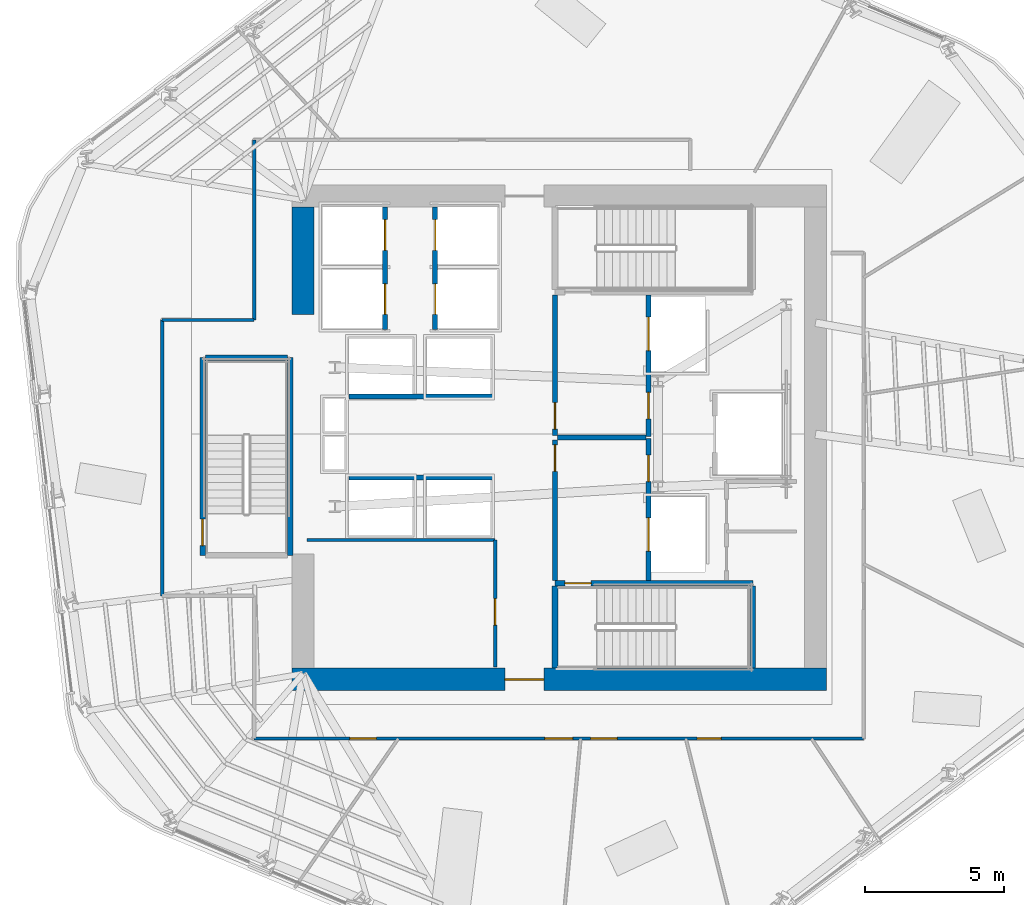
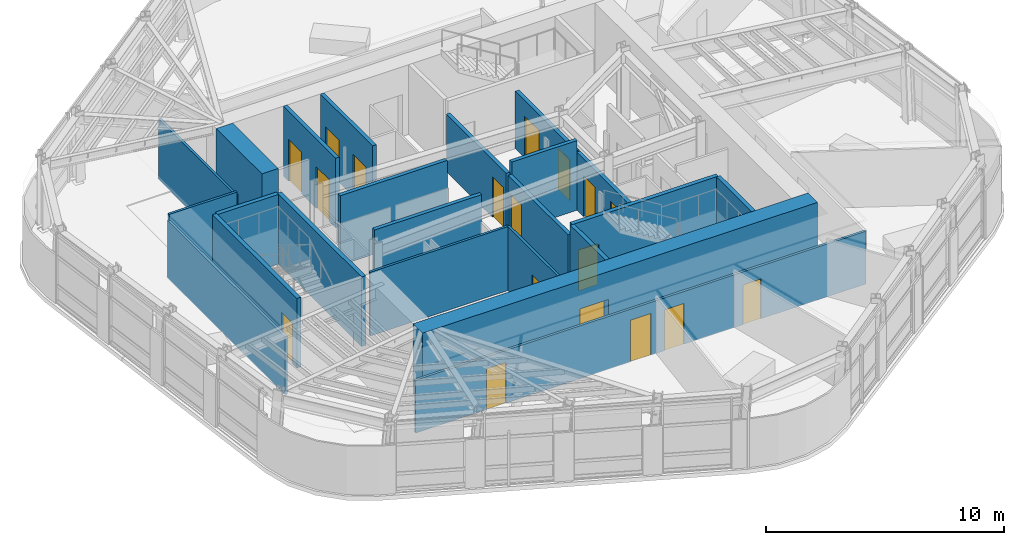
# One storey, part 8 of 14: 23 walls, 18 doors, 18 openings.
"""IFC4 building model written with IfcOpenShell, lengths in metres."""

from ifc_helpers import new_model, si_unit, direction, frame, frame_2d, origin, place, context, subcontext, project, spatial, rectangle, extrude, material, layer, layer_set, type_object, element, fill, save


model = new_model("IFC4")

# Units and contexts
model_context = context("Model", 3, precision=1e-05, world=origin(), true_north=direction((0.0, 1.0)))
body_context = subcontext(model_context, "Body", "Model", "MODEL_VIEW")
ifc_project = project(units=[si_unit("LENGTHUNIT", "METRE"), si_unit("AREAUNIT", "SQUARE_METRE"), si_unit("VOLUMEUNIT", "CUBIC_METRE"), si_unit("PLANEANGLEUNIT", "RADIAN"), si_unit("MASSUNIT", "GRAM", prefix="KILO")], contexts=[model_context])

# Site, building, storey
site_placement = place(None, origin())
site = spatial("IfcSite", under=ifc_project, at=site_placement, CompositionType="ELEMENT")
building_placement = place(site_placement, origin())
building = spatial("IfcBuilding", under=site, at=building_placement, Name="Valkerne Bourse Tower", CompositionType="ELEMENT")
storey_placement = place(building_placement, frame((0.0, 0.0, 181.800048828125)))
storey = spatial("IfcBuildingStorey", under=building, at=storey_placement, Name="L46", CompositionType="ELEMENT", Elevation=181.800048828125)

# Wall, opening, door
ifc_material_1 = material(Name="Concrete C55/67", Category="concrete")
ifc_layer_1 = layer(ifc_material_1, 0.800048828125)
ifc_layer_set_1 = layer_set([ifc_layer_1], Name="Concrete C55/67")
wall_type_1 = type_object("IfcWallType", Name="W-CORE-800", PredefinedType="SHEAR", material=ifc_layer_set_1)
wall_1_placement = place(storey_placement, frame((37.199951171875, 18.199951171875, 0.0), z_axis=(0.0, 0.0, 1.0), x_axis=(1.0, 0.0, 0.0)))
wall_1 = element("IfcWall", 1, at=wall_1_placement, inside=storey, type_object=wall_type_1, Name="L46 Core Shear Wall SOUTH", PredefinedType="SHEAR", context=body_context, shape_type="SweptSolid", body=[
    extrude(rectangle(XDim=19.199951171875, YDim=0.800048828125, at=frame_2d((9.60009765625, 0.0))), origin(), (0.0, 0.0, 1.0), 3.579833984375),
])
opening_1_placement = place(wall_1_placement, frame((7.64990234375, 0.0, 0.0)))
opening_1 = element("IfcOpeningElement", 2, at=opening_1_placement, cuts=wall_1, Name="Opening D-PL-1400", PredefinedType="OPENING", context=body_context, shape_type="SweptSolid", body=[
    extrude(rectangle(XDim=1.39990234375, YDim=2.14990234375, at=frame_2d((0.699951171875, 1.074951171875))), frame((0.0, 0.409912109375, 0.0), z_axis=(0.0, -1.0, 0.0), x_axis=(1.0, 0.0, 0.0)), (0.0, 0.0, 1.0), 0.820068359375),
])
ifc_material_2 = material(Name="Galvanised Painted Steel", Category="steel")
door_type_1 = type_object("IfcDoorType", Name="DR-PLT-1400", OperationType="DOUBLE_DOOR_SINGLE_SWING", PredefinedType="DOOR", material=ifc_material_2)
door_1_placement = place(opening_1_placement, origin())
door_1 = element("IfcDoor", 3, at=door_1_placement, inside=storey, type_object=door_type_1, Name="L46 South Passenger Lift Hall Fire Door", OperationType="DOUBLE_DOOR_SINGLE_SWING", OverallHeight=2.14990234375, OverallWidth=1.39990234375, PredefinedType="DOOR", context=body_context, shape_type="SweptSolid", body=[
    extrude(rectangle(XDim=1.39990234375, YDim=2.14990234375, at=frame_2d((0.699951171875, 1.074951171875))), frame((0.0, 0.02490234375, 0.0), z_axis=(0.0, -1.0, 0.0), x_axis=(1.0, 0.0, 0.0)), (0.0, 0.0, 1.0), 0.050048828125),
])
fill(opening_1, door_1)

# Wall
wall_2_placement = place(storey_placement, frame((37.60009765625, 31.300048828125, 0.0), z_axis=(0.0, 0.0, 1.0), x_axis=(0.0, 1.0, 0.0)))
element("IfcWall", 4, at=wall_2_placement, inside=storey, type_object=wall_type_1, Name="L46 Core Shear Wall WEST-N", PredefinedType="SHEAR", context=body_context, shape_type="SweptSolid", body=[
    extrude(rectangle(XDim=3.849853515625, YDim=0.800048828125, at=frame_2d((1.9248046875, 0.0))), origin(), (0.0, 0.0, 1.0), 3.579833984375),
])

# Wall, opening, door
ifc_material_3 = material(Name="Gypsum Board Steel-Stud Partition", Category="steel")
ifc_layer_2 = layer(ifc_material_3, 0.117919921875)
ifc_layer_set_2 = layer_set([ifc_layer_2], Name="Gypsum Board Steel-Stud Partition")
wall_type_2 = type_object("IfcWallType", Name="W-CORR-140", PredefinedType="PARTITIONING", material=ifc_layer_set_2)
wall_3_placement = place(storey_placement, frame((44.5, 18.64990234375, 0.0), z_axis=(0.0, 0.0, 1.0), x_axis=(0.0, 1.0, 0.0)))
wall_3 = element("IfcWall", 5, at=wall_3_placement, inside=storey, type_object=wall_type_2, Name="L46 LV7 Low-Bank East Wall", PredefinedType="PARTITIONING", context=body_context, shape_type="SweptSolid", body=[
    extrude(rectangle(XDim=4.550048828125, YDim=0.117919921875, at=frame_2d((2.27490234375, 0.0))), origin(), (0.0, 0.0, 1.0), 3.280029296875),
])
opening_2_placement = place(wall_3_placement, frame((1.5, 0.0, 0.0)))
opening_2 = element("IfcOpeningElement", 6, at=opening_2_placement, cuts=wall_3, Name="Opening D-SV-950", PredefinedType="OPENING", context=body_context, shape_type="SweptSolid", body=[
    extrude(rectangle(XDim=0.949951171875, YDim=2.050048828125, at=frame_2d((0.47509765625, 1.02490234375))), frame((0.0, 0.06884765625, 0.0), z_axis=(0.0, -1.0, 0.0), x_axis=(1.0, 0.0, 0.0)), (0.0, 0.0, 1.0), 0.137939453125),
])
door_type_2 = type_object("IfcDoorType", Name="DR-SRV-950", OperationType="NOTDEFINED", PredefinedType="DOOR", material=ifc_material_2)
door_2_placement = place(opening_2_placement, origin())
door_2 = element("IfcDoor", 7, at=door_2_placement, inside=storey, type_object=door_type_2, Name="L46 Algorithmic Matching Office Door", OperationType="SINGLE_SWING_LEFT", OverallHeight=2.050048828125, OverallWidth=0.949951171875, PredefinedType="DOOR", context=body_context, shape_type="SweptSolid", body=[
    extrude(rectangle(XDim=0.949951171875, YDim=2.050048828125, at=frame_2d((0.47509765625, 1.02490234375))), frame((0.0, 0.02490234375, 0.0), z_axis=(0.0, -1.0, 0.0), x_axis=(1.0, 0.0, 0.0)), (0.0, 0.0, 1.0), 0.050048828125),
])
fill(opening_2, door_2)

# Walls
wall_4_placement = place(storey_placement, frame((37.75, 23.199951171875, 0.0), z_axis=(0.0, 0.0, 1.0), x_axis=(1.0, 0.0, 0.0)))
element("IfcWall", 8, at=wall_4_placement, inside=storey, type_object=wall_type_2, Name="L46 LV7 Low-Bank North Wall", PredefinedType="PARTITIONING", context=body_context, shape_type="SweptSolid", body=[
    extrude(rectangle(XDim=6.75, YDim=0.117919921875, at=frame_2d((3.375, 0.0))), origin(), (0.0, 0.0, 1.0), 3.280029296875),
])
wall_5_placement = place(storey_placement, frame((32.550048828125, 21.199951171875, 0.0), z_axis=(0.0, 0.0, 1.0), x_axis=(0.0, 1.0, 0.0)))
element("IfcWall", 9, at=wall_5_placement, inside=storey, type_object=wall_type_2, Name="L46 Corridor Enclosure Wall", PredefinedType="PARTITIONING", context=body_context, shape_type="SweptSolid", body=[
    extrude(rectangle(XDim=9.900146484375, YDim=0.117919921875, at=frame_2d((4.9501953125, 0.0))), origin(), (0.0, 0.0, 1.0), 2.962890625),
])
wall_6_placement = place(storey_placement, frame((32.550048828125, 31.10009765625, 0.0), z_axis=(0.0, 0.0, 1.0), x_axis=(1.0, 0.0, 0.0)))
element("IfcWall", 10, at=wall_6_placement, inside=storey, type_object=wall_type_2, Name="L46 Corridor Enclosure Wall", PredefinedType="PARTITIONING", context=body_context, shape_type="SweptSolid", body=[
    extrude(rectangle(XDim=3.300048828125, YDim=0.117919921875, at=frame_2d((1.64990234375, 0.0))), origin(), (0.0, 0.0, 1.0), 3.280029296875),
])
wall_7_placement = place(storey_placement, frame((35.85009765625, 31.10009765625, 0.0), z_axis=(0.0, 0.0, 1.0), x_axis=(0.0, 1.0, 0.0)))
element("IfcWall", 11, at=wall_7_placement, inside=storey, type_object=wall_type_2, Name="L46 Corridor Enclosure Wall", PredefinedType="PARTITIONING", context=body_context, shape_type="SweptSolid", body=[
    extrude(rectangle(XDim=6.4599609375, YDim=0.117919921875, at=frame_2d((3.22998046875, 0.0))), origin(), (0.0, 0.0, 1.0), 3.107666015625),
])

# Wall, openings, doors
wall_8_placement = place(storey_placement, frame((57.719970703125, 16.080078125, 0.0), z_axis=(0.0, 0.0, 1.0), x_axis=(-1.0, 0.0, 0.0)))
wall_8 = element("IfcWall", 12, at=wall_8_placement, inside=storey, type_object=wall_type_2, Name="L46 Corridor Enclosure Wall", PredefinedType="PARTITIONING", context=body_context, shape_type="SweptSolid", body=[
    extrude(rectangle(XDim=21.869873046875, YDim=0.117919921875, at=frame_2d((10.93505859375, 0.0))), origin(), (0.0, 0.0, 1.0), 2.71142578125),
])
opening_3_placement = place(wall_8_placement, frame((5.10498046875, 0.0, 0.0)))
opening_3 = element("IfcOpeningElement", 13, at=opening_3_placement, cuts=wall_8, Name="Opening D-WC-900", PredefinedType="OPENING", context=body_context, shape_type="SweptSolid", body=[
    extrude(rectangle(XDim=0.860107421875, YDim=2.050048828125, at=frame_2d((0.43017578125, 1.02490234375))), frame((0.0, 0.06884765625, 0.0), z_axis=(0.0, -1.0, 0.0), x_axis=(1.0, 0.0, 0.0)), (0.0, 0.0, 1.0), 0.137939453125),
])
opening_4_placement = place(wall_8_placement, frame((8.840087890625, 0.0, 0.0)))
opening_4 = element("IfcOpeningElement", 14, at=opening_4_placement, cuts=wall_8, Name="Opening D-OF-950", PredefinedType="OPENING", context=body_context, shape_type="SweptSolid", body=[
    extrude(rectangle(XDim=0.949951171875, YDim=2.10009765625, at=frame_2d((0.47509765625, 1.050048828125))), frame((0.0, 0.06884765625, 0.0), z_axis=(0.0, -1.0, 0.0), x_axis=(1.0, 0.0, 0.0)), (0.0, 0.0, 1.0), 0.137939453125),
])
opening_5_placement = place(wall_8_placement, frame((10.43505859375, 0.0, 0.0)))
opening_5 = element("IfcOpeningElement", 15, at=opening_5_placement, cuts=wall_8, Name="Opening D-MG-1000", PredefinedType="OPENING", context=body_context, shape_type="SweptSolid", body=[
    extrude(rectangle(XDim=1.0, YDim=2.14990234375, at=frame_2d((0.5, 1.074951171875))), frame((0.0, 0.06884765625, 0.0), z_axis=(0.0, -1.0, 0.0), x_axis=(1.0, 0.0, 0.0)), (0.0, 0.0, 1.0), 0.137939453125),
])
opening_6_placement = place(wall_8_placement, frame((17.47998046875, 0.0, 0.0)))
opening_6 = element("IfcOpeningElement", 16, at=opening_6_placement, cuts=wall_8, Name="Opening D-OF-950", PredefinedType="OPENING", context=body_context, shape_type="SweptSolid", body=[
    extrude(rectangle(XDim=0.949951171875, YDim=2.10009765625, at=frame_2d((0.47509765625, 1.050048828125))), frame((0.0, 0.06884765625, 0.0), z_axis=(0.0, -1.0, 0.0), x_axis=(1.0, 0.0, 0.0)), (0.0, 0.0, 1.0), 0.137939453125),
])
ifc_material_4 = material(Name="Laminated Tempered Safety Glass", Category="glass")
door_type_3 = type_object("IfcDoorType", Name="DR-MTG-1000", OperationType="NOTDEFINED", PredefinedType="DOOR", material=ifc_material_4)
door_3_placement = place(opening_5_placement, origin())
door_3 = element("IfcDoor", 17, at=door_3_placement, inside=storey, type_object=door_type_3, Name="L46 L46 Client Strategy Conference Room 6 Door", OperationType="SINGLE_SWING_RIGHT", OverallHeight=2.14990234375, OverallWidth=1.0, PredefinedType="DOOR", context=body_context, shape_type="SweptSolid", body=[
    extrude(rectangle(XDim=1.0, YDim=2.14990234375, at=frame_2d((0.5, 1.074951171875))), frame((0.0, 0.02490234375, 0.0), z_axis=(0.0, -1.0, 0.0), x_axis=(1.0, 0.0, 0.0)), (0.0, 0.0, 1.0), 0.050048828125),
])
fill(opening_5, door_3)
ifc_material_5 = material(Name="Architectural White Oak Timber", Category="wood")
door_type_4 = type_object("IfcDoorType", Name="DR-OFF-950", OperationType="NOTDEFINED", PredefinedType="DOOR", material=ifc_material_5)
door_4_placement = place(opening_4_placement, origin())
door_4 = element("IfcDoor", 18, at=door_4_placement, inside=storey, type_object=door_type_4, Name="L46 L46 Executive Advisory Suite Office 4 Door", OperationType="SINGLE_SWING_RIGHT", OverallHeight=2.10009765625, OverallWidth=0.949951171875, PredefinedType="DOOR", context=body_context, shape_type="SweptSolid", body=[
    extrude(rectangle(XDim=0.949951171875, YDim=2.10009765625, at=frame_2d((0.47509765625, 1.050048828125))), frame((0.0, 0.02490234375, 0.0), z_axis=(0.0, -1.0, 0.0), x_axis=(1.0, 0.0, 0.0)), (0.0, 0.0, 1.0), 0.050048828125),
])
fill(opening_4, door_4)
door_5_placement = place(opening_6_placement, origin())
door_5 = element("IfcDoor", 19, at=door_5_placement, inside=storey, type_object=door_type_4, Name="L46 L46 Commodities Market Showroom 9 Door", OperationType="SINGLE_SWING_LEFT", OverallHeight=2.10009765625, OverallWidth=0.949951171875, PredefinedType="DOOR", context=body_context, shape_type="SweptSolid", body=[
    extrude(rectangle(XDim=0.949951171875, YDim=2.10009765625, at=frame_2d((0.47509765625, 1.050048828125))), frame((0.0, 0.02490234375, 0.0), z_axis=(0.0, -1.0, 0.0), x_axis=(1.0, 0.0, 0.0)), (0.0, 0.0, 1.0), 0.050048828125),
])
fill(opening_6, door_5)
door_type_5 = type_object("IfcDoorType", Name="DR-WC-900", OperationType="NOTDEFINED", PredefinedType="DOOR", material=ifc_material_5)
door_6_placement = place(opening_3_placement, origin())
door_6 = element("IfcDoor", 20, at=door_6_placement, inside=storey, type_object=door_type_5, Name="L46 L46 Men Bathroom WC 1 Door", OperationType="SINGLE_SWING_RIGHT", OverallHeight=2.050048828125, OverallWidth=0.860107421875, PredefinedType="DOOR", context=body_context, shape_type="SweptSolid", body=[
    extrude(rectangle(XDim=0.860107421875, YDim=2.050048828125, at=frame_2d((0.43017578125, 1.02490234375))), frame((0.0, 0.02490234375, 0.0), z_axis=(0.0, -1.0, 0.0), x_axis=(1.0, 0.0, 0.0)), (0.0, 0.0, 1.0), 0.050048828125),
])
fill(opening_3, door_6)

# Wall
ifc_material_6 = material(Name="Gypsum Fire-Rated Shaftwall", Category="gypsum")
ifc_layer_3 = layer(ifc_material_6, 0.179931640625)
ifc_layer_set_3 = layer_set([ifc_layer_3], Name="Gypsum Fire-Rated Shaftwall")
wall_type_3 = type_object("IfcWallType", Name="W-FSAE-180", PredefinedType="PARTITIONING", material=ifc_layer_set_3)
wall_9_placement = place(storey_placement, frame((46.739990234375, 26.8798828125, 0.0), z_axis=(0.0, 0.0, 1.0), x_axis=(1.0, 0.0, 0.0)))
element("IfcWall", 21, at=wall_9_placement, inside=storey, type_object=wall_type_3, Name="L46 FSAE-1/2 Lobby Dividing Fire Wall", PredefinedType="PARTITIONING", context=body_context, shape_type="SweptSolid", body=[
    extrude(rectangle(XDim=3.169921875, YDim=0.179931640625, at=frame_2d((1.5849609375, 0.0))), origin(), (0.0, 0.0, 1.0), 3.579833984375),
])

# Wall, opening, door
wall_10_placement = place(storey_placement, frame((46.64990234375, 21.75, 0.0), z_axis=(0.0, 0.0, 1.0), x_axis=(0.0, 1.0, 0.0)))
wall_10 = element("IfcWall", 22, at=wall_10_placement, inside=storey, type_object=wall_type_3, Name="L46 FSAE-1 Lobby West Fire Wall", PredefinedType="PARTITIONING", context=body_context, shape_type="SweptSolid", body=[
    extrude(rectangle(XDim=5.050048828125, YDim=0.179931640625, at=frame_2d((2.52490234375, 0.0))), origin(), (0.0, 0.0, 1.0), 2.957763671875),
])
opening_7_placement = place(wall_10_placement, frame((3.919921875, 0.0, 0.0)))
opening_7 = element("IfcOpeningElement", 23, at=opening_7_placement, cuts=wall_10, Name="Opening D-FS-950", PredefinedType="OPENING", context=body_context, shape_type="SweptSolid", body=[
    extrude(rectangle(XDim=0.949951171875, YDim=2.10009765625, at=frame_2d((0.47509765625, 1.050048828125))), frame((0.0, 0.099853515625, 0.0), z_axis=(0.0, -1.0, 0.0), x_axis=(1.0, 0.0, 0.0)), (0.0, 0.0, 1.0), 0.199951171875),
])
door_type_6 = type_object("IfcDoorType", Name="DR-FSAE-950", OperationType="NOTDEFINED", PredefinedType="DOOR", material=ifc_material_2)
door_7_placement = place(opening_7_placement, origin())
door_7 = element("IfcDoor", 24, at=door_7_placement, inside=storey, type_object=door_type_6, Name="L46 FSAE-1 Hall Link Fire Door", OperationType="SINGLE_SWING_LEFT", OverallHeight=2.10009765625, OverallWidth=0.949951171875, PredefinedType="DOOR", context=body_context, shape_type="SweptSolid", body=[
    extrude(rectangle(XDim=0.949951171875, YDim=2.10009765625, at=frame_2d((0.47509765625, 1.050048828125))), frame((0.0, 0.02490234375, 0.0), z_axis=(0.0, -1.0, 0.0), x_axis=(1.0, 0.0, 0.0)), (0.0, 0.0, 1.0), 0.050048828125),
])
fill(opening_7, door_7)

wall_11_placement = place(storey_placement, frame((46.64990234375, 26.9599609375, 0.0), z_axis=(0.0, 0.0, 1.0), x_axis=(0.0, 1.0, 0.0)))
wall_11 = element("IfcWall", 25, at=wall_11_placement, inside=storey, type_object=wall_type_3, Name="L46 FSAE-2 Lobby West Fire Wall", PredefinedType="PARTITIONING", context=body_context, shape_type="SweptSolid", body=[
    extrude(rectangle(XDim=5.0400390625, YDim=0.179931640625, at=frame_2d((2.52001953125, 0.0))), origin(), (0.0, 0.0, 1.0), 2.957763671875),
])
opening_8_placement = place(wall_11_placement, frame((0.219970703125, 0.0, 0.0)))
opening_8 = element("IfcOpeningElement", 26, at=opening_8_placement, cuts=wall_11, Name="Opening D-FS-950", PredefinedType="OPENING", context=body_context, shape_type="SweptSolid", body=[
    extrude(rectangle(XDim=0.949951171875, YDim=2.10009765625, at=frame_2d((0.47509765625, 1.050048828125))), frame((0.0, 0.099853515625, 0.0), z_axis=(0.0, -1.0, 0.0), x_axis=(1.0, 0.0, 0.0)), (0.0, 0.0, 1.0), 0.199951171875),
])
door_8_placement = place(opening_8_placement, origin())
door_8 = element("IfcDoor", 27, at=door_8_placement, inside=storey, type_object=door_type_6, Name="L46 FSAE-2 Hall Link Fire Door", OperationType="SINGLE_SWING_LEFT", OverallHeight=2.10009765625, OverallWidth=0.949951171875, PredefinedType="DOOR", context=body_context, shape_type="SweptSolid", body=[
    extrude(rectangle(XDim=0.949951171875, YDim=2.10009765625, at=frame_2d((0.47509765625, 1.050048828125))), frame((0.0, 0.02490234375, 0.0), z_axis=(0.0, -1.0, 0.0), x_axis=(1.0, 0.0, 0.0)), (0.0, 0.0, 1.0), 0.050048828125),
])
fill(opening_8, door_8)

# Wall, openings, doors
wall_12_placement = place(storey_placement, frame((50.0, 21.75, 0.0), z_axis=(0.0, 0.0, 1.0), x_axis=(0.0, 1.0, 0.0)))
wall_12 = element("IfcWall", 28, at=wall_12_placement, inside=storey, type_object=wall_type_3, Name="L46 FSAE-1 Lobby & Shaft Front Wall", PredefinedType="PARTITIONING", context=body_context, shape_type="SweptSolid", body=[
    extrude(rectangle(XDim=5.090087890625, YDim=0.179931640625, at=frame_2d((2.544921875, 0.0))), origin(), (0.0, 0.0, 1.0), 2.957763671875),
])
opening_9_placement = place(wall_12_placement, frame((1.050048828125, 0.0, 0.0)))
opening_9 = element("IfcOpeningElement", 29, at=opening_9_placement, cuts=wall_12, Name="Opening LD-1200", PredefinedType="OPENING", context=body_context, shape_type="SweptSolid", body=[
    extrude(rectangle(XDim=1.199951171875, YDim=2.14990234375, at=frame_2d((0.60009765625, 1.074951171875))), frame((0.0, 0.099853515625, 0.0), z_axis=(0.0, -1.0, 0.0), x_axis=(1.0, 0.0, 0.0)), (0.0, 0.0, 1.0), 0.199951171875),
])
opening_10_placement = place(wall_12_placement, frame((3.550048828125, 0.0, 0.0)))
opening_10 = element("IfcOpeningElement", 30, at=opening_10_placement, cuts=wall_12, Name="Opening D-FS-950", PredefinedType="OPENING", context=body_context, shape_type="SweptSolid", body=[
    extrude(rectangle(XDim=0.949951171875, YDim=2.10009765625, at=frame_2d((0.47509765625, 1.050048828125))), frame((0.0, 0.099853515625, 0.0), z_axis=(0.0, -1.0, 0.0), x_axis=(1.0, 0.0, 0.0)), (0.0, 0.0, 1.0), 0.199951171875),
])
door_9_placement = place(opening_10_placement, origin())
door_9 = element("IfcDoor", 31, at=door_9_placement, inside=storey, type_object=door_type_6, Name="L46 FSAE-1 Lobby Corridor Fire Door", OperationType="SINGLE_SWING_LEFT", OverallHeight=2.10009765625, OverallWidth=0.949951171875, PredefinedType="DOOR", context=body_context, shape_type="SweptSolid", body=[
    extrude(rectangle(XDim=0.949951171875, YDim=2.10009765625, at=frame_2d((0.47509765625, 1.050048828125))), frame((0.0, 0.02490234375, 0.0), z_axis=(0.0, -1.0, 0.0), x_axis=(1.0, 0.0, 0.0)), (0.0, 0.0, 1.0), 0.050048828125),
])
fill(opening_10, door_9)
ifc_material_7 = material(Name="Stainless Steel AISI 316", Category="steel")
door_type_7 = type_object("IfcDoorType", Name="DR-LIFT-1200", OperationType="DOUBLE_DOOR_SLIDING", PredefinedType="DOOR", material=ifc_material_7)
door_10_placement = place(opening_9_placement, origin())
door_10 = element("IfcDoor", 32, at=door_10_placement, inside=storey, type_object=door_type_7, Name="L46 FSAE-1 Firefighting Lift Landing Door", OperationType="DOUBLE_DOOR_SLIDING", OverallHeight=2.14990234375, OverallWidth=1.199951171875, PredefinedType="DOOR", context=body_context, shape_type="SweptSolid", body=[
    extrude(rectangle(XDim=1.199951171875, YDim=2.14990234375, at=frame_2d((0.60009765625, 1.074951171875))), frame((0.0, 0.02490234375, 0.0), z_axis=(0.0, -1.0, 0.0), x_axis=(1.0, 0.0, 0.0)), (0.0, 0.0, 1.0), 0.050048828125),
])
fill(opening_9, door_10)

wall_13_placement = place(storey_placement, frame((50.0, 26.919921875, 0.0), z_axis=(0.0, 0.0, 1.0), x_axis=(0.0, 1.0, 0.0)))
wall_13 = element("IfcWall", 33, at=wall_13_placement, inside=storey, type_object=wall_type_3, Name="L46 FSAE-2 Lobby & Shaft Front Wall", PredefinedType="PARTITIONING", context=body_context, shape_type="SweptSolid", body=[
    extrude(rectangle(XDim=5.080078125, YDim=0.179931640625, at=frame_2d((2.5400390625, 0.0))), origin(), (0.0, 0.0, 1.0), 2.957763671875),
])
opening_11_placement = place(wall_13_placement, frame((3.080078125, 0.0, 0.0)))
opening_11 = element("IfcOpeningElement", 34, at=opening_11_placement, cuts=wall_13, Name="Opening LD-1200", PredefinedType="OPENING", context=body_context, shape_type="SweptSolid", body=[
    extrude(rectangle(XDim=1.199951171875, YDim=2.14990234375, at=frame_2d((0.60009765625, 1.074951171875))), frame((0.0, 0.099853515625, 0.0), z_axis=(0.0, -1.0, 0.0), x_axis=(1.0, 0.0, 0.0)), (0.0, 0.0, 1.0), 0.199951171875),
])
opening_12_placement = place(wall_13_placement, frame((0.6298828125, 0.0, 0.0)))
opening_12 = element("IfcOpeningElement", 35, at=opening_12_placement, cuts=wall_13, Name="Opening D-FS-950", PredefinedType="OPENING", context=body_context, shape_type="SweptSolid", body=[
    extrude(rectangle(XDim=0.949951171875, YDim=2.10009765625, at=frame_2d((0.47509765625, 1.050048828125))), frame((0.0, 0.099853515625, 0.0), z_axis=(0.0, -1.0, 0.0), x_axis=(1.0, 0.0, 0.0)), (0.0, 0.0, 1.0), 0.199951171875),
])
door_11_placement = place(opening_12_placement, origin())
door_11 = element("IfcDoor", 36, at=door_11_placement, inside=storey, type_object=door_type_6, Name="L46 FSAE-2 Lobby Corridor Fire Door", OperationType="SINGLE_SWING_LEFT", OverallHeight=2.10009765625, OverallWidth=0.949951171875, PredefinedType="DOOR", context=body_context, shape_type="SweptSolid", body=[
    extrude(rectangle(XDim=0.949951171875, YDim=2.10009765625, at=frame_2d((0.47509765625, 1.050048828125))), frame((0.0, 0.02490234375, 0.0), z_axis=(0.0, -1.0, 0.0), x_axis=(1.0, 0.0, 0.0)), (0.0, 0.0, 1.0), 0.050048828125),
])
fill(opening_12, door_11)
door_12_placement = place(opening_11_placement, origin())
door_12 = element("IfcDoor", 37, at=door_12_placement, inside=storey, type_object=door_type_7, Name="L46 FSAE-2 Firefighting Lift Landing Door", OperationType="DOUBLE_DOOR_SLIDING", OverallHeight=2.14990234375, OverallWidth=1.199951171875, PredefinedType="DOOR", context=body_context, shape_type="SweptSolid", body=[
    extrude(rectangle(XDim=1.199951171875, YDim=2.14990234375, at=frame_2d((0.60009765625, 1.074951171875))), frame((0.0, 0.02490234375, 0.0), z_axis=(0.0, -1.0, 0.0), x_axis=(1.0, 0.0, 0.0)), (0.0, 0.0, 1.0), 0.050048828125),
])
fill(opening_11, door_12)

ifc_material_8 = material(Name="CMU Blockwork Masonry 200mm", Category="masonry")
ifc_layer_4 = layer(ifc_material_8, 0.179931640625)
ifc_layer_set_4 = layer_set([ifc_layer_4], Name="CMU Blockwork Masonry 200mm")
wall_type_4 = type_object("IfcWallType", Name="W-LFT-180", PredefinedType="SOLIDWALL", material=ifc_layer_set_4)
wall_14_placement = place(storey_placement, frame((40.550048828125, 30.75, 0.0), z_axis=(0.0, 0.0, 1.0), x_axis=(0.0, 1.0, 0.0)))
wall_14 = element("IfcWall", 38, at=wall_14_placement, inside=storey, type_object=wall_type_4, Name="L46 Mid-Zone West Cars Front Wall", PredefinedType="SOLIDWALL", context=body_context, shape_type="SweptSolid", body=[
    extrude(rectangle(XDim=4.39990234375, YDim=0.179931640625, at=frame_2d((2.199951171875, 0.0))), origin(), (0.0, 0.0, 1.0), 3.579833984375),
])
opening_13_placement = place(wall_14_placement, frame((0.550048828125, 0.0, 0.0)))
opening_13 = element("IfcOpeningElement", 39, at=opening_13_placement, cuts=wall_14, Name="Opening LD-1100", PredefinedType="OPENING", context=body_context, shape_type="SweptSolid", body=[
    extrude(rectangle(XDim=1.10009765625, YDim=2.14990234375, at=frame_2d((0.550048828125, 1.074951171875))), frame((0.0, 0.099853515625, 0.0), z_axis=(0.0, -1.0, 0.0), x_axis=(1.0, 0.0, 0.0)), (0.0, 0.0, 1.0), 0.199951171875),
])
opening_14_placement = place(wall_14_placement, frame((2.85009765625, 0.0, 0.0)))
opening_14 = element("IfcOpeningElement", 40, at=opening_14_placement, cuts=wall_14, Name="Opening LD-1100", PredefinedType="OPENING", context=body_context, shape_type="SweptSolid", body=[
    extrude(rectangle(XDim=1.10009765625, YDim=2.14990234375, at=frame_2d((0.550048828125, 1.074951171875))), frame((0.0, 0.099853515625, 0.0), z_axis=(0.0, -1.0, 0.0), x_axis=(1.0, 0.0, 0.0)), (0.0, 0.0, 1.0), 0.199951171875),
])
door_type_8 = type_object("IfcDoorType", Name="DR-LIFT-1100", OperationType="DOUBLE_DOOR_SLIDING", PredefinedType="DOOR", material=ifc_material_7)
door_13_placement = place(opening_13_placement, origin())
door_13 = element("IfcDoor", 41, at=door_13_placement, inside=storey, type_object=door_type_8, Name="L46 Passenger Lift PL-M1 Sliding Landing Door", OperationType="DOUBLE_DOOR_SLIDING", OverallHeight=2.14990234375, OverallWidth=1.10009765625, PredefinedType="DOOR", context=body_context, shape_type="SweptSolid", body=[
    extrude(rectangle(XDim=1.10009765625, YDim=2.14990234375, at=frame_2d((0.550048828125, 1.074951171875))), frame((0.0, 0.02490234375, 0.0), z_axis=(0.0, -1.0, 0.0), x_axis=(1.0, 0.0, 0.0)), (0.0, 0.0, 1.0), 0.050048828125),
])
fill(opening_13, door_13)
door_14_placement = place(opening_14_placement, origin())
door_14 = element("IfcDoor", 42, at=door_14_placement, inside=storey, type_object=door_type_8, Name="L46 Passenger Lift PL-M2 Sliding Landing Door", OperationType="DOUBLE_DOOR_SLIDING", OverallHeight=2.14990234375, OverallWidth=1.10009765625, PredefinedType="DOOR", context=body_context, shape_type="SweptSolid", body=[
    extrude(rectangle(XDim=1.10009765625, YDim=2.14990234375, at=frame_2d((0.550048828125, 1.074951171875))), frame((0.0, 0.02490234375, 0.0), z_axis=(0.0, -1.0, 0.0), x_axis=(1.0, 0.0, 0.0)), (0.0, 0.0, 1.0), 0.050048828125),
])
fill(opening_14, door_14)

wall_15_placement = place(storey_placement, frame((42.35009765625, 30.75, 0.0), z_axis=(0.0, 0.0, 1.0), x_axis=(0.0, 1.0, 0.0)))
wall_15 = element("IfcWall", 43, at=wall_15_placement, inside=storey, type_object=wall_type_4, Name="L46 Mid-Zone East Cars Front Wall", PredefinedType="SOLIDWALL", context=body_context, shape_type="SweptSolid", body=[
    extrude(rectangle(XDim=4.39990234375, YDim=0.179931640625, at=frame_2d((2.199951171875, 0.0))), origin(), (0.0, 0.0, 1.0), 3.579833984375),
])
opening_15_placement = place(wall_15_placement, frame((0.550048828125, 0.0, 0.0)))
opening_15 = element("IfcOpeningElement", 44, at=opening_15_placement, cuts=wall_15, Name="Opening LD-1100", PredefinedType="OPENING", context=body_context, shape_type="SweptSolid", body=[
    extrude(rectangle(XDim=1.10009765625, YDim=2.14990234375, at=frame_2d((0.550048828125, 1.074951171875))), frame((0.0, 0.099853515625, 0.0), z_axis=(0.0, -1.0, 0.0), x_axis=(1.0, 0.0, 0.0)), (0.0, 0.0, 1.0), 0.199951171875),
])
opening_16_placement = place(wall_15_placement, frame((2.85009765625, 0.0, 0.0)))
opening_16 = element("IfcOpeningElement", 45, at=opening_16_placement, cuts=wall_15, Name="Opening LD-1100", PredefinedType="OPENING", context=body_context, shape_type="SweptSolid", body=[
    extrude(rectangle(XDim=1.10009765625, YDim=2.14990234375, at=frame_2d((0.550048828125, 1.074951171875))), frame((0.0, 0.099853515625, 0.0), z_axis=(0.0, -1.0, 0.0), x_axis=(1.0, 0.0, 0.0)), (0.0, 0.0, 1.0), 0.199951171875),
])
door_15_placement = place(opening_15_placement, origin())
door_15 = element("IfcDoor", 46, at=door_15_placement, inside=storey, type_object=door_type_8, Name="L46 Passenger Lift PL-M3 Sliding Landing Door", OperationType="DOUBLE_DOOR_SLIDING", OverallHeight=2.14990234375, OverallWidth=1.10009765625, PredefinedType="DOOR", context=body_context, shape_type="SweptSolid", body=[
    extrude(rectangle(XDim=1.10009765625, YDim=2.14990234375, at=frame_2d((0.550048828125, 1.074951171875))), frame((0.0, 0.02490234375, 0.0), z_axis=(0.0, -1.0, 0.0), x_axis=(1.0, 0.0, 0.0)), (0.0, 0.0, 1.0), 0.050048828125),
])
fill(opening_15, door_15)
door_16_placement = place(opening_16_placement, origin())
door_16 = element("IfcDoor", 47, at=door_16_placement, inside=storey, type_object=door_type_8, Name="L46 Passenger Lift PL-M4 Sliding Landing Door", OperationType="DOUBLE_DOOR_SLIDING", OverallHeight=2.14990234375, OverallWidth=1.10009765625, PredefinedType="DOOR", context=body_context, shape_type="SweptSolid", body=[
    extrude(rectangle(XDim=1.10009765625, YDim=2.14990234375, at=frame_2d((0.550048828125, 1.074951171875))), frame((0.0, 0.02490234375, 0.0), z_axis=(0.0, -1.0, 0.0), x_axis=(1.0, 0.0, 0.0)), (0.0, 0.0, 1.0), 0.050048828125),
])
fill(opening_16, door_16)

# Walls
for number, where, z_axis, x_axis, name in (
    (48, (39.25, 25.449951171875, 0.0), (0.0, 0.0, 1.0), (1.0, 0.0, 0.0), "L46 High-Zone South Cars Front Wall"),
    (49, (39.25, 28.35009765625, 0.0), (0.0, 0.0, 1.0), (1.0, 0.0, 0.0), "L46 High-Zone North Cars Front Wall"),
):
    element("IfcWall", number, at=place(storey_placement, frame(where, z_axis=z_axis, x_axis=x_axis)), inside=storey, type_object=wall_type_4, Name=name, PredefinedType="SOLIDWALL", context=body_context, shape_type="SweptSolid", body=[
        extrude(rectangle(XDim=5.199951171875, YDim=0.179931640625, at=frame_2d((2.60009765625, 0.0))), origin(), (0.0, 0.0, 1.0), 3.579833984375),
    ])

# Wall, opening, door
ifc_material_9 = material(Name="Concrete C40/50", Category="concrete")
ifc_layer_5 = layer(ifc_material_9, 0.199951171875)
ifc_layer_set_5 = layer_set([ifc_layer_5], Name="Concrete C40/50")
wall_type_5 = type_object("IfcWallType", Name="W-SHF-200", PredefinedType="SHEAR", material=ifc_layer_set_5)
wall_16_placement = place(storey_placement, frame((46.64990234375, 21.64990234375, 0.0), z_axis=(0.0, 0.0, 1.0), x_axis=(1.0, 0.0, 0.0)))
wall_16 = element("IfcWall", 50, at=wall_16_placement, inside=storey, type_object=wall_type_5, Name="L46 Exit Stair ST-1 Structural Shaft Wall North", PredefinedType="SHEAR", context=body_context, shape_type="SweptSolid", body=[
    extrude(rectangle(XDim=7.10009765625, YDim=0.199951171875, at=frame_2d((3.550048828125, 0.0))), origin(), (0.0, 0.0, 1.0), 3.579833984375),
])
opening_17_placement = place(wall_16_placement, frame((0.35009765625, 0.0, 0.0)))
opening_17 = element("IfcOpeningElement", 51, at=opening_17_placement, cuts=wall_16, Name="Opening D-ST-950", PredefinedType="OPENING", context=body_context, shape_type="SweptSolid", body=[
    extrude(rectangle(XDim=0.949951171875, YDim=2.10009765625, at=frame_2d((0.47509765625, 1.050048828125))), frame((0.0, 0.10986328125, 0.0), z_axis=(0.0, -1.0, 0.0), x_axis=(1.0, 0.0, 0.0)), (0.0, 0.0, 1.0), 0.219970703125),
])
door_type_9 = type_object("IfcDoorType", Name="DR-STAIR-950", OperationType="NOTDEFINED", PredefinedType="DOOR", material=ifc_material_2)
door_17_placement = place(opening_17_placement, origin())
door_17 = element("IfcDoor", 52, at=door_17_placement, inside=storey, type_object=door_type_9, Name="L46 Exit Stair ST-1 Door", OperationType="SINGLE_SWING_RIGHT", OverallHeight=2.10009765625, OverallWidth=0.949951171875, PredefinedType="DOOR", context=body_context, shape_type="SweptSolid", body=[
    extrude(rectangle(XDim=0.949951171875, YDim=2.10009765625, at=frame_2d((0.47509765625, 1.050048828125))), frame((0.0, 0.02490234375, 0.0), z_axis=(0.0, -1.0, 0.0), x_axis=(1.0, 0.0, 0.0)), (0.0, 0.0, 1.0), 0.050048828125),
])
fill(opening_17, door_17)

# Walls
for number, where, z_axis, x_axis, name in (
    (53, (46.64990234375, 18.60009765625, 0.0), (0.0, 0.0, 1.0), (0.0, 1.0, 0.0), "L46 Exit Stair ST-1 Structural Shaft Wall West"),
    (54, (53.75, 18.60009765625, 0.0), (0.0, 0.0, 1.0), (0.0, 1.0, 0.0), "L46 Exit Stair ST-1 Structural Shaft Wall East"),
):
    element("IfcWall", number, at=place(storey_placement, frame(where, z_axis=z_axis, x_axis=x_axis)), inside=storey, type_object=wall_type_5, Name=name, PredefinedType="SHEAR", context=body_context, shape_type="SweptSolid", body=[
        extrude(rectangle(XDim=2.949951171875, YDim=0.199951171875, at=frame_2d((1.47509765625, 0.0))), origin(), (0.0, 0.0, 1.0), 3.579833984375),
    ])

# Wall, opening, door
wall_17_placement = place(storey_placement, frame((34.0, 22.64990234375, 0.0), z_axis=(0.0, 0.0, 1.0), x_axis=(0.0, 1.0, 0.0)))
wall_17 = element("IfcWall", 55, at=wall_17_placement, inside=storey, type_object=wall_type_5, Name="L46 Exit Stair ST-3 Structural Shaft Wall West", PredefinedType="SHEAR", context=body_context, shape_type="SweptSolid", body=[
    extrude(rectangle(XDim=7.10009765625, YDim=0.199951171875, at=frame_2d((3.550048828125, 0.0))), origin(), (0.0, 0.0, 1.0), 3.579833984375),
])
opening_18_placement = place(wall_17_placement, frame((0.35009765625, 0.0, 0.0)))
opening_18 = element("IfcOpeningElement", 56, at=opening_18_placement, cuts=wall_17, Name="Opening D-ST-950", PredefinedType="OPENING", context=body_context, shape_type="SweptSolid", body=[
    extrude(rectangle(XDim=0.949951171875, YDim=2.10009765625, at=frame_2d((0.47509765625, 1.050048828125))), frame((0.0, 0.10986328125, 0.0), z_axis=(0.0, -1.0, 0.0), x_axis=(1.0, 0.0, 0.0)), (0.0, 0.0, 1.0), 0.219970703125),
])
door_18_placement = place(opening_18_placement, origin())
door_18 = element("IfcDoor", 57, at=door_18_placement, inside=storey, type_object=door_type_9, Name="L46 Exit Stair ST-3 Door", OperationType="SINGLE_SWING_LEFT", OverallHeight=2.10009765625, OverallWidth=0.949951171875, PredefinedType="DOOR", context=body_context, shape_type="SweptSolid", body=[
    extrude(rectangle(XDim=0.949951171875, YDim=2.10009765625, at=frame_2d((0.47509765625, 1.050048828125))), frame((0.0, 0.02490234375, 0.0), z_axis=(0.0, -1.0, 0.0), x_axis=(1.0, 0.0, 0.0)), (0.0, 0.0, 1.0), 0.050048828125),
])
fill(opening_18, door_18)

# Walls
wall_18_placement = place(storey_placement, frame((34.10009765625, 29.75, 0.0), z_axis=(0.0, 0.0, 1.0), x_axis=(1.0, 0.0, 0.0)))
element("IfcWall", 58, at=wall_18_placement, inside=storey, type_object=wall_type_5, Name="L46 Exit Stair ST-3 Structural Shaft Wall North", PredefinedType="SHEAR", context=body_context, shape_type="SweptSolid", body=[
    extrude(rectangle(XDim=2.949951171875, YDim=0.199951171875, at=frame_2d((1.47509765625, 0.0))), origin(), (0.0, 0.0, 1.0), 3.579833984375),
])
wall_19_placement = place(storey_placement, frame((37.14990234375, 22.64990234375, 0.0), z_axis=(0.0, 0.0, 1.0), x_axis=(0.0, 1.0, 0.0)))
element("IfcWall", 59, at=wall_19_placement, inside=storey, type_object=wall_type_5, Name="L46 Exit Stair ST-3 Structural Shaft Wall East", PredefinedType="SHEAR", context=body_context, shape_type="SweptSolid", body=[
    extrude(rectangle(XDim=7.10009765625, YDim=0.199951171875, at=frame_2d((3.550048828125, 0.0))), origin(), (0.0, 0.0, 1.0), 3.579833984375),
])

save(model, "model.ifc")
